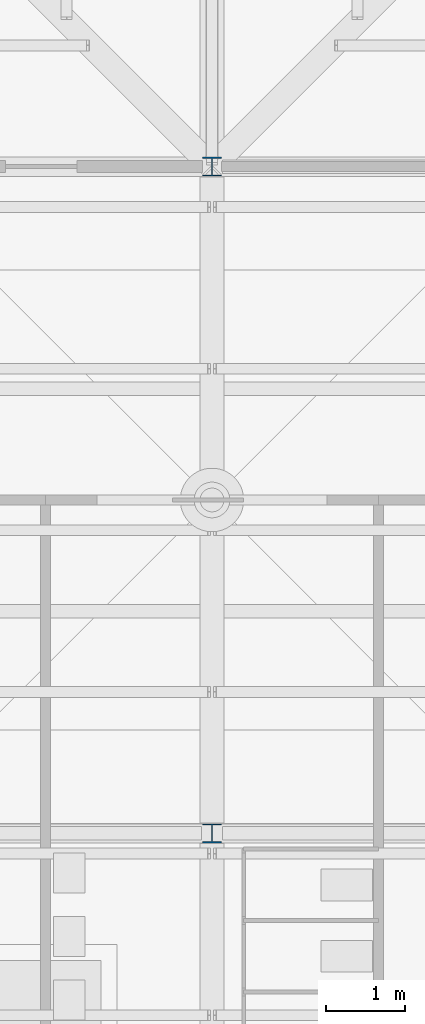
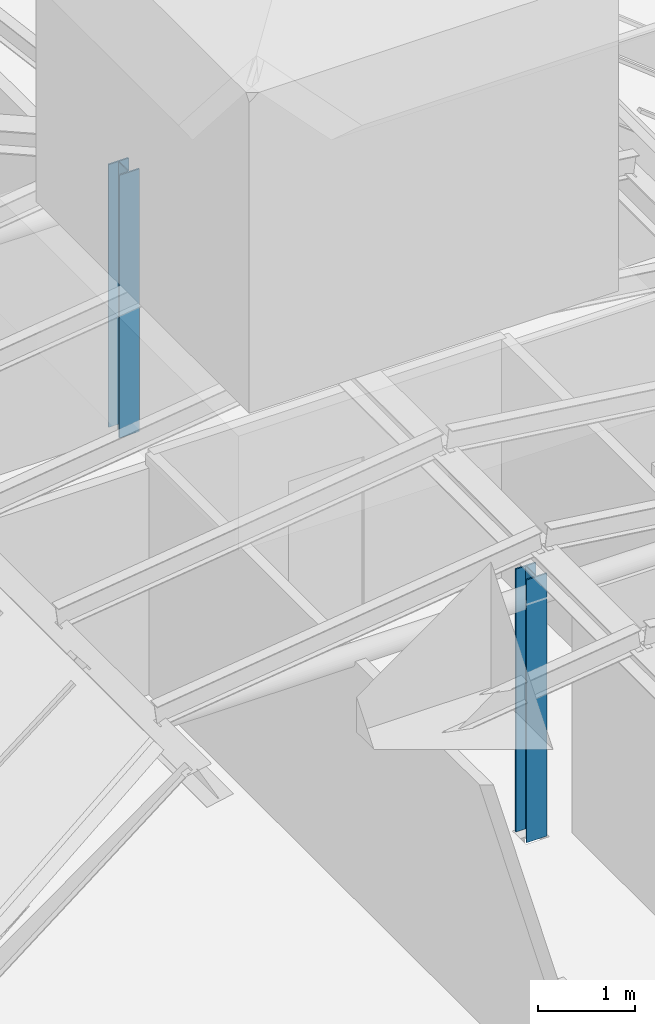
# One storey, part 6 of 126: 2 columns.
"""IFC4 building model written with IfcOpenShell, lengths in metres."""

import ifcopenshell
import ifcopenshell.guid

model = None  # the IFC model being written
_history = None  # IfcOwnerHistory: only IFC2X3 demands one
_inside = {}  # id of a spatial element -> (the spatial element, [elements in it])
_under = {}  # id of a project, library or spatial element -> (it, [spatial elements below it])
_declared = {}  # id of a project -> (the project, [libraries it declares])
_typed = {}  # id of a type object -> (the type object, [elements of that type])
_made_of = {}  # id of a material, layer set ... -> (it, [elements and type objects made of it])


def new_model(schema):
    """Start an empty IFC model of exactly this schema.

    Asked for "IFC4X3", IfcOpenShell would pick the latest addendum, in which some entities
    have other attributes; the version numbers below select the first issue.
    IFC2X3 requires an IfcOwnerHistory on every rooted entity: one is made here for all.
    """
    global model, _history
    if schema == "IFC4X3":
        model = ifcopenshell.file(schema_version=(4, 3, 0, 0))
    else:
        model = ifcopenshell.file(schema=schema)
    _inside.clear()
    _under.clear()
    _declared.clear()
    _typed.clear()
    _made_of.clear()
    _history = None
    if model.schema == "IFC2X3":
        org = make("IfcOrganization", Name="unknown")
        user = make(
            "IfcPersonAndOrganization",
            ThePerson=make("IfcPerson", FamilyName="unknown"),
            TheOrganization=org,
        )
        app = make(
            "IfcApplication",
            ApplicationDeveloper=org,
            Version="unknown",
            ApplicationFullName="unknown",
            ApplicationIdentifier="unknown",
        )
        _history = make(
            "IfcOwnerHistory",
            OwningUser=user,
            OwningApplication=app,
            ChangeAction="ADDED",
            CreationDate=0,
        )
    return model


def make(cls, **values):
    """One entity of the class cls with the attributes given. An attribute that is None is left unset."""
    return model.create_entity(
        cls, **{name: value for name, value in values.items() if value is not None}
    )


def rooted(cls, **values):
    """An entity with a GlobalId (a new one), such as an element, a storey or a relation."""
    return make(cls, GlobalId=ifcopenshell.guid.new(), OwnerHistory=_history, **values)


def si_unit(unit_type, name, prefix=None):
    """IfcSIUnit, for example si_unit("LENGTHUNIT", "METRE", prefix="MILLI")."""
    return make("IfcSIUnit", UnitType=unit_type, Prefix=prefix, Name=name)


def assignment(units):
    """IfcUnitAssignment: the units of a project."""
    return None if units is None else make("IfcUnitAssignment", Units=units)


def point(xyz):
    """IfcCartesianPoint."""
    return None if xyz is None else make("IfcCartesianPoint", Coordinates=xyz)


def direction(xyz):
    """IfcDirection."""
    return None if xyz is None else make("IfcDirection", DirectionRatios=xyz)


def frame(location, z_axis=None, x_axis=None):
    """IfcAxis2Placement3D, a coordinate frame: its origin and axes. An axis left out is left unset."""
    return make(
        "IfcAxis2Placement3D",
        Location=point(location),
        Axis=direction(z_axis),
        RefDirection=direction(x_axis),
    )


def frame_2d(location, x_axis=None):
    """IfcAxis2Placement2D, a coordinate frame in the plane: its origin and x axis."""
    return make(
        "IfcAxis2Placement2D", Location=point(location), RefDirection=direction(x_axis)
    )


def origin():
    """The frame at (0, 0, 0) with its axes left unset."""
    return frame((0.0, 0.0, 0.0))


def origin_2d():
    """The frame at (0, 0) in the plane with its x axis left unset."""
    return frame_2d((0.0, 0.0))


def place(relative_to, where):
    """IfcLocalPlacement: puts the frame where relative to a parent placement (None: the world)."""
    return make(
        "IfcLocalPlacement", PlacementRelTo=relative_to, RelativePlacement=where
    )


def context(
    kind, dimensions, precision=None, world=None, true_north=None, identifier=None
):
    """IfcGeometricRepresentationContext, for example the 3D "Model" context."""
    return make(
        "IfcGeometricRepresentationContext",
        ContextIdentifier=identifier,
        ContextType=kind,
        CoordinateSpaceDimension=dimensions,
        Precision=precision,
        WorldCoordinateSystem=world,
        TrueNorth=true_north,
    )


def subcontext(parent, identifier, kind, view, scale=None):
    """IfcGeometricRepresentationSubContext, for example "Body" below "Model"."""
    return make(
        "IfcGeometricRepresentationSubContext",
        ContextIdentifier=identifier,
        ContextType=kind,
        ParentContext=parent,
        TargetScale=scale,
        TargetView=view,
    )


def project(units=None, contexts=None):
    """IfcProject with its units and contexts."""
    return rooted(
        "IfcProject",
        Name="project",
        RepresentationContexts=contexts,
        UnitsInContext=assignment(units),
    )


def spatial(cls, under=None, at=None, **own):
    """A site, building, storey or space (cls), placed at a placement, below another one or the project."""
    s = rooted(cls, ObjectPlacement=at, **own)
    if under is not None:
        _under.setdefault(under.id(), (under, []))[1].append(s)
    return s


def profile(cls, at=None, kind="AREA", **sizes):
    """A parametric profile (cls). Its sizes go by their IFC names, for example OverallWidth=200.0."""
    return make(cls, ProfileType=kind, Position=at, **sizes)


def i_section(**sizes):
    """IfcIShapeProfileDef."""
    return profile("IfcIShapeProfileDef", **sizes)


def extrude(swept, where, along, depth):
    """IfcExtrudedAreaSolid: the profile swept, set in the frame where, extruded along a direction by depth."""
    return make(
        "IfcExtrudedAreaSolid",
        SweptArea=swept,
        Position=where,
        ExtrudedDirection=direction(along),
        Depth=depth,
    )


def shape(context_of_items, identifier, shape_type, items):
    """IfcShapeRepresentation: the items that make up one representation, for example the "Body"."""
    return make(
        "IfcShapeRepresentation",
        ContextOfItems=context_of_items,
        RepresentationIdentifier=identifier,
        RepresentationType=shape_type,
        Items=items,
    )


def material(Name=None, Category=None):
    """IfcMaterial."""
    return make("IfcMaterial", Name=Name, Category=Category)


def material_profile(
    of_material, cross_section, Name=None, Category=None, Priority=None
):
    """IfcMaterialProfile: a cross section and its material."""
    return make(
        "IfcMaterialProfile",
        Name=Name,
        Material=of_material,
        Profile=cross_section,
        Priority=Priority,
        Category=Category,
    )


def profile_set(profiles, Name=None, composite=None):
    """IfcMaterialProfileSet."""
    return make(
        "IfcMaterialProfileSet",
        Name=Name,
        MaterialProfiles=profiles,
        CompositeProfile=composite,
    )


def made_of(thing, what):
    """Note that an element or type object is made of a material, layer set ...; save() writes the relation."""
    if what is not None:
        _made_of.setdefault(what.id(), (what, []))[1].append(thing)
    return thing


def type_object(cls, material=None, **own):
    """A type object (cls), such as IfcWallType, which elements share."""
    return made_of(rooted(cls, **own), material)


def element(
    cls,
    number,
    at=None,
    inside=None,
    cuts=None,
    type_object=None,
    material=None,
    context=None,
    identifier="Body",
    shape_type=None,
    held_by="IfcProductDefinitionShape",
    body=None,
    shapes=None,
    **own,
):
    """One element of the class cls, such as IfcWall. Its Tag is "e" and its number.

    at: its placement. inside: the storey or other place that contains it. cuts: it is an
    opening in that element (IfcRelVoidsElement). A single representation is given by context,
    identifier, shape_type and body (its items); several are given by shapes. held_by: the class
    of the entity that holds the representations. save() writes the other relations.
    """
    e = rooted(cls, Tag="e%d" % number, ObjectPlacement=at, **own)
    if body is not None:
        shapes = [shape(context, identifier, shape_type, body)]
    if shapes is not None:
        e.Representation = make(held_by, Representations=shapes)
    if inside is not None:
        _inside.setdefault(inside.id(), (inside, []))[1].append(e)
    if cuts is not None:
        rooted(
            "IfcRelVoidsElement", RelatingBuildingElement=cuts, RelatedOpeningElement=e
        )
    if type_object is not None:
        _typed.setdefault(type_object.id(), (type_object, []))[1].append(e)
    return made_of(e, material)


def aggregate(whole, parts):
    """IfcRelAggregates: a whole, such as a stair, and the parts it consists of."""
    return rooted("IfcRelAggregates", RelatingObject=whole, RelatedObjects=parts)


def save(model, path):
    """Write the relations noted so far, then the file.

    IfcRelAggregates (storeys below a building ...), IfcRelContainedInSpatialStructure (elements
    in a storey), IfcRelDefinesByType, IfcRelAssociatesMaterial and IfcRelDeclares: one each for
    every whole, place, type object, material and project.
    """
    for whole, parts in _under.values():
        aggregate(whole, parts)
    for where, things in _inside.values():
        rooted(
            "IfcRelContainedInSpatialStructure",
            RelatedElements=things,
            RelatingStructure=where,
        )
    for kind, things in _typed.values():
        rooted("IfcRelDefinesByType", RelatedObjects=things, RelatingType=kind)
    for what, things in _made_of.values():
        rooted("IfcRelAssociatesMaterial", RelatedObjects=things, RelatingMaterial=what)
    for by, libraries in _declared.values():
        rooted("IfcRelDeclares", RelatingContext=by, RelatedDefinitions=libraries)
    model.write(path)


model = new_model("IFC4")

# Units and contexts
model_context = context("Model", 3, precision=1e-05, world=origin(), true_north=direction((0.0, 1.0)))
body_context = subcontext(model_context, "Body", "Model", "MODEL_VIEW")
ifc_project = project(units=[si_unit("LENGTHUNIT", "METRE"), si_unit("AREAUNIT", "SQUARE_METRE"), si_unit("VOLUMEUNIT", "CUBIC_METRE"), si_unit("PLANEANGLEUNIT", "RADIAN"), si_unit("MASSUNIT", "GRAM", prefix="KILO")], contexts=[model_context])

# Site, building, storey
site_placement = place(None, origin())
site = spatial("IfcSite", under=ifc_project, at=site_placement, CompositionType="ELEMENT")
building_placement = place(site_placement, origin())
building = spatial("IfcBuilding", under=site, at=building_placement, Name="Sava Quay Ferry Terminal", CompositionType="ELEMENT")
storey_placement = place(building_placement, frame((0.0, 0.0, 15.0)))
storey = spatial("IfcBuildingStorey", under=building, at=storey_placement, Name="L03", CompositionType="ELEMENT", Elevation=15.0)

# Columns
ifc_material = material(Name="Steel S355", Category="steel")
ifc_material_profile = material_profile(ifc_material, i_section(OverallWidth=0.239990234375, OverallDepth=0.239990234375, WebThickness=0.010009765625, FlangeThickness=0.01708984375, at=origin_2d()), Name="HE 240 B")
ifc_profile_set = profile_set([ifc_material_profile], Name="Steel S355")
column_type = type_object("IfcColumnType", Name="Column HE 240 B", PredefinedType="COLUMN", material=ifc_profile_set)
for number, where, z_axis, x_axis, name in (
    (1, (100.800048828125, 92.39990234375, 0.0), (0.0, 0.0, 1.0), (1.0, 0.0, 0.0), "Column L03 100.8/92.4"),
    (2, (100.800048828125, 100.800048828125, 0.0), (0.0, 0.0, 1.0), (1.0, 0.0, 0.0), "Column L03 100.8/100.8"),
):
    element("IfcColumn", number, at=place(storey_placement, frame(where, z_axis=z_axis, x_axis=x_axis)), inside=storey, type_object=column_type, Name=name, PredefinedType="COLUMN", context=body_context, shape_type="SweptSolid", body=[
        extrude(i_section(OverallWidth=0.239990234375, OverallDepth=0.239990234375, WebThickness=0.010009765625, FlangeThickness=0.01708984375, at=origin_2d()), origin(), (0.0, 0.0, 1.0), 3.31005859375),
    ])

save(model, "model.ifc")
